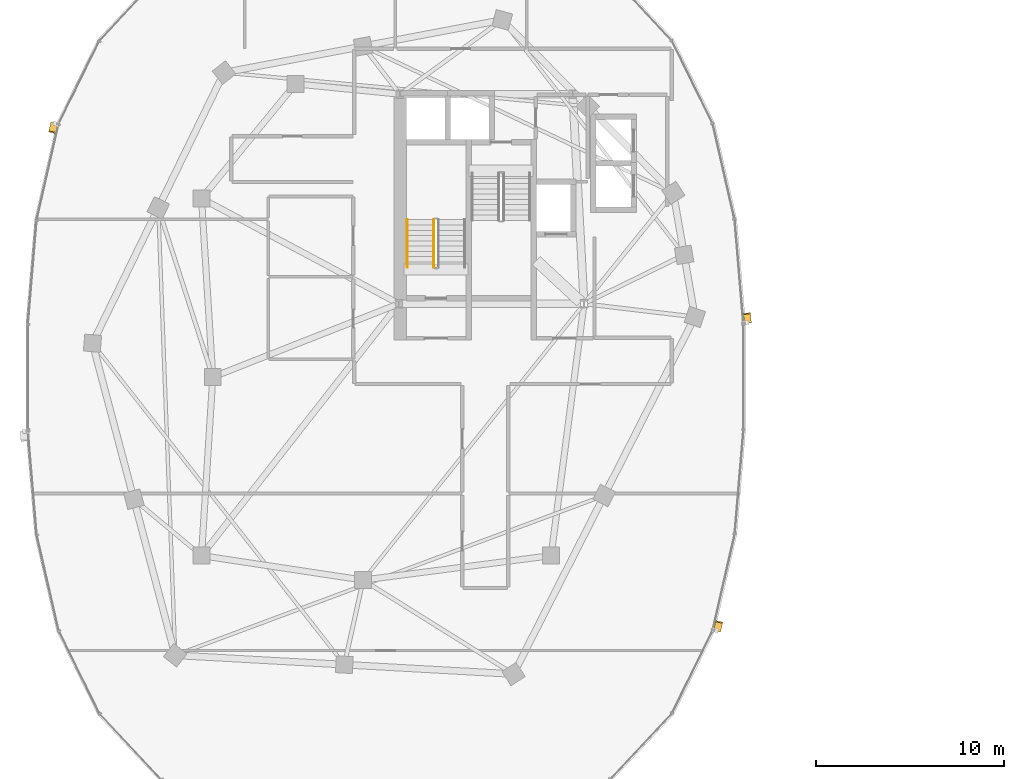
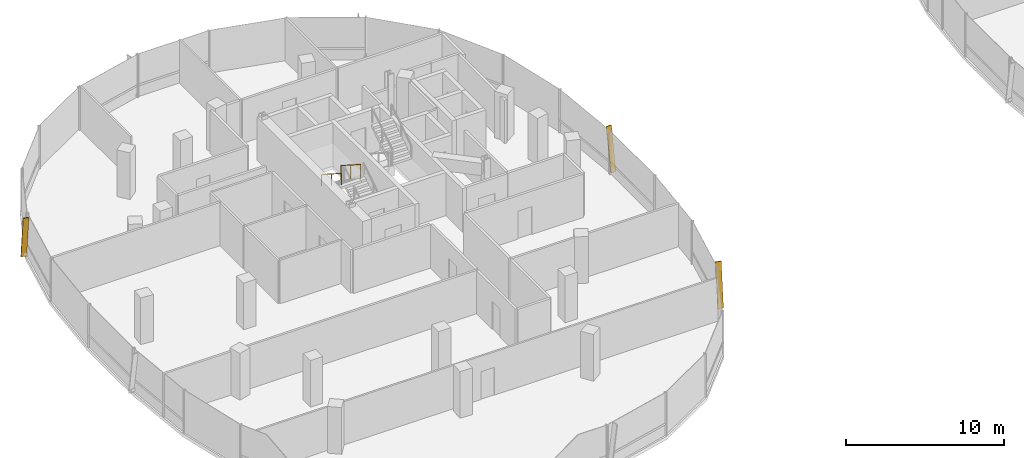
# One storey, part 22 of 25: 3 shading devices, 2 railings.
"""IFC4 building model written with IfcOpenShell, lengths in metres."""

from ifc_helpers import new_model, si_unit, direction, frame, origin, origin_2d, place, context, subcontext, project, spatial, rectangle, extrude, material, material_profile, profile_set, type_object, element, save


model = new_model("IFC4")

# Units and contexts
model_context = context("Model", 3, precision=1e-05, world=origin(), true_north=direction((0.0, 1.0)))
body_context = subcontext(model_context, "Body", "Model", "MODEL_VIEW")
ifc_project = project(units=[si_unit("LENGTHUNIT", "METRE"), si_unit("AREAUNIT", "SQUARE_METRE"), si_unit("VOLUMEUNIT", "CUBIC_METRE"), si_unit("PLANEANGLEUNIT", "RADIAN"), si_unit("MASSUNIT", "GRAM", prefix="KILO"), si_unit("THERMODYNAMICTEMPERATUREUNIT", "KELVIN"), si_unit("POWERUNIT", "WATT")], contexts=[model_context])

# Site, building, storey
site_placement = place(None, origin())
site = spatial("IfcSite", under=ifc_project, at=site_placement, CompositionType="ELEMENT")
building_placement = place(site_placement, origin())
building = spatial("IfcBuilding", under=site, at=building_placement, Name="Cundina Bronze Exchange", CompositionType="ELEMENT")
storey_placement = place(building_placement, frame((0.0, 0.0, 220.60009765625)))
storey = spatial("IfcBuildingStorey", under=building, at=storey_placement, Name="L58", CompositionType="ELEMENT", Elevation=220.60009765625)

# Railings
ifc_material_1 = material(Name="Steel ASTM A36 Painted", Category="steel")
railing_type_1 = type_object("IfcRailingType", Name="RLG-HND-900", PredefinedType="HANDRAIL", material=ifc_material_1)
railing_1_placement = place(storey_placement, frame((-30.85009765625, 8.3701171875, 1.97998046875)))
element("IfcRailing", 1, at=railing_1_placement, inside=storey, type_object=railing_type_1, Name="L58 ST-W1 stair handrail 2", PredefinedType="HANDRAIL", context=body_context, shape_type="SweptSolid", body=[
    extrude(rectangle(XDim=0.048095703125, YDim=0.048095703125, at=origin_2d()), frame((0.0, 0.0, 0.8759765625), z_axis=(0.0, -0.841199657755, 0.540724639528), x_axis=(1.0, 0.0, 0.0)), (0.0, 0.0, 1.0), 2.995849609375),
    extrude(rectangle(XDim=0.0419921875, YDim=0.0419921875, at=origin_2d()), origin(), (0.0, 0.0, 1.0), 0.851806640625),
    extrude(rectangle(XDim=0.0419921875, YDim=0.0419921875, at=origin_2d()), frame((0.0, -1.260009765625, 0.81005859375)), (0.0, 0.0, 1.0), 0.851806640625),
    extrude(rectangle(XDim=0.0419921875, YDim=0.0419921875, at=origin_2d()), frame((0.0, -2.52001953125, 1.619873046875)), (0.0, 0.0, 1.0), 0.851806640625),
])
railing_type_2 = type_object("IfcRailingType", Name="RLG-STG-1100", PredefinedType="GUARDRAIL", material=ifc_material_1)
railing_2_placement = place(storey_placement, frame((-29.449951171875, 8.3701171875, 1.97998046875)))
element("IfcRailing", 2, at=railing_2_placement, inside=storey, type_object=railing_type_2, Name="L58 ST-W1 stair guard 3", PredefinedType="GUARDRAIL", context=body_context, shape_type="SweptSolid", body=[
    extrude(rectangle(XDim=0.048095703125, YDim=0.048095703125, at=origin_2d()), frame((0.0, 0.0, 1.076171875), z_axis=(0.0, -0.841199657755, 0.540724639528), x_axis=(1.0, 0.0, 0.0)), (0.0, 0.0, 1.0), 2.995849609375),
    extrude(rectangle(XDim=0.0419921875, YDim=0.0419921875, at=origin_2d()), origin(), (0.0, 0.0, 1.0), 1.052001953125),
    extrude(rectangle(XDim=0.0419921875, YDim=0.0419921875, at=origin_2d()), frame((0.0, -1.260009765625, 0.81005859375)), (0.0, 0.0, 1.0), 1.052001953125),
    extrude(rectangle(XDim=0.0419921875, YDim=0.0419921875, at=origin_2d()), frame((0.0, -2.52001953125, 1.619873046875)), (0.0, 0.0, 1.0), 1.052001953125),
])

# Shading devices
ifc_material_2 = material(Name="Anodised Bronze Aluminium 6063-T6", Category="aluminium")
ifc_material_profile = material_profile(ifc_material_2, rectangle(XDim=0.070068359375, YDim=0.3798828125, at=origin_2d()), Name="FIN70X380", Category="aluminium")
ifc_profile_set = profile_set([ifc_material_profile], Name="Anodised Bronze Aluminium 6063-T6")
shading_device_type = type_object("IfcShadingDeviceType", Name="SHD-FIN-BRZ380", PredefinedType="USERDEFINED", material=ifc_profile_set)
for number, where, z_axis, x_axis, name in (
    (3, (-12.735595703125, 2.90283203125, 0.02001953125), (-0.012007425696, 0.143430164259, 0.989587595774), (0.082555708425, -0.986138004904, 0.143931894628), "L58 Diagonal Bronze Solar Fin 1"),
    (4, (-49.636962890625, 13.4931640625, 0.02001953125), (-0.032141567252, -0.140353950846, 0.989579551192), (0.220899074037, 0.964609396194, 0.143987193401), "L58 Diagonal Bronze Solar Fin 5"),
    (5, (-14.363037109375, -13.4931640625, 0.02001953125), (0.032141567252, 0.140353950846, 0.989579551192), (-0.220899074037, -0.964609396194, 0.143987193401), "L58 Diagonal Bronze Solar Fin 5"),
):
    element("IfcShadingDevice", number, at=place(storey_placement, frame(where, z_axis=z_axis, x_axis=x_axis)), inside=storey, type_object=shading_device_type, Name=name, ObjectType="FIN", PredefinedType="USERDEFINED", context=body_context, shape_type="SweptSolid", body=[
        extrude(rectangle(XDim=0.070068359375, YDim=0.3798828125, at=origin_2d()), origin(), (0.0, 0.0, 1.0), 3.33447265625),
    ])

save(model, "model.ifc")
